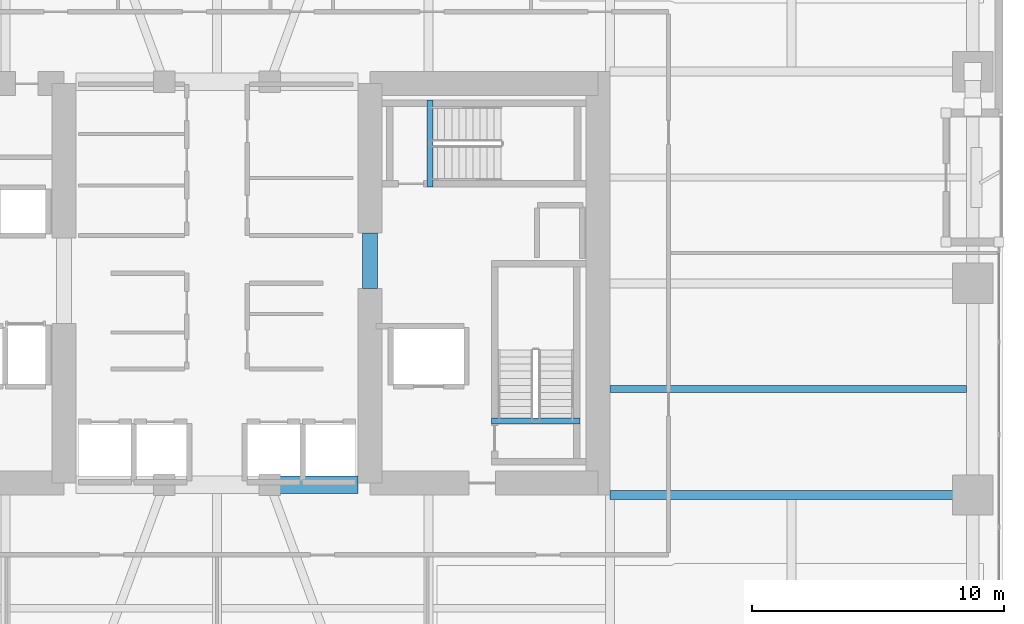
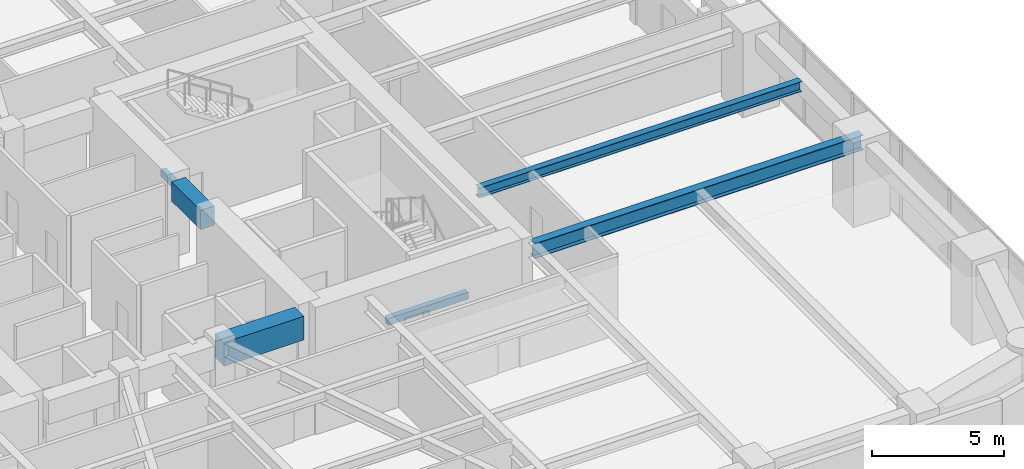
# One storey, part 7 of 28: 6 beams.
"""IFC4 building model written with IfcOpenShell, lengths in metres."""

import ifcopenshell
import ifcopenshell.guid

model = None  # the IFC model being written
_history = None  # IfcOwnerHistory: only IFC2X3 demands one
_inside = {}  # id of a spatial element -> (the spatial element, [elements in it])
_under = {}  # id of a project, library or spatial element -> (it, [spatial elements below it])
_declared = {}  # id of a project -> (the project, [libraries it declares])
_typed = {}  # id of a type object -> (the type object, [elements of that type])
_made_of = {}  # id of a material, layer set ... -> (it, [elements and type objects made of it])


def new_model(schema):
    """Start an empty IFC model of exactly this schema.

    Asked for "IFC4X3", IfcOpenShell would pick the latest addendum, in which some entities
    have other attributes; the version numbers below select the first issue.
    IFC2X3 requires an IfcOwnerHistory on every rooted entity: one is made here for all.
    """
    global model, _history
    if schema == "IFC4X3":
        model = ifcopenshell.file(schema_version=(4, 3, 0, 0))
    else:
        model = ifcopenshell.file(schema=schema)
    _inside.clear()
    _under.clear()
    _declared.clear()
    _typed.clear()
    _made_of.clear()
    _history = None
    if model.schema == "IFC2X3":
        org = make("IfcOrganization", Name="unknown")
        user = make(
            "IfcPersonAndOrganization",
            ThePerson=make("IfcPerson", FamilyName="unknown"),
            TheOrganization=org,
        )
        app = make(
            "IfcApplication",
            ApplicationDeveloper=org,
            Version="unknown",
            ApplicationFullName="unknown",
            ApplicationIdentifier="unknown",
        )
        _history = make(
            "IfcOwnerHistory",
            OwningUser=user,
            OwningApplication=app,
            ChangeAction="ADDED",
            CreationDate=0,
        )
    return model


def make(cls, **values):
    """One entity of the class cls with the attributes given. An attribute that is None is left unset."""
    return model.create_entity(
        cls, **{name: value for name, value in values.items() if value is not None}
    )


def rooted(cls, **values):
    """An entity with a GlobalId (a new one), such as an element, a storey or a relation."""
    return make(cls, GlobalId=ifcopenshell.guid.new(), OwnerHistory=_history, **values)


def si_unit(unit_type, name, prefix=None):
    """IfcSIUnit, for example si_unit("LENGTHUNIT", "METRE", prefix="MILLI")."""
    return make("IfcSIUnit", UnitType=unit_type, Prefix=prefix, Name=name)


def assignment(units):
    """IfcUnitAssignment: the units of a project."""
    return None if units is None else make("IfcUnitAssignment", Units=units)


def point(xyz):
    """IfcCartesianPoint."""
    return None if xyz is None else make("IfcCartesianPoint", Coordinates=xyz)


def direction(xyz):
    """IfcDirection."""
    return None if xyz is None else make("IfcDirection", DirectionRatios=xyz)


def frame(location, z_axis=None, x_axis=None):
    """IfcAxis2Placement3D, a coordinate frame: its origin and axes. An axis left out is left unset."""
    return make(
        "IfcAxis2Placement3D",
        Location=point(location),
        Axis=direction(z_axis),
        RefDirection=direction(x_axis),
    )


def frame_2d(location, x_axis=None):
    """IfcAxis2Placement2D, a coordinate frame in the plane: its origin and x axis."""
    return make(
        "IfcAxis2Placement2D", Location=point(location), RefDirection=direction(x_axis)
    )


def origin():
    """The frame at (0, 0, 0) with its axes left unset."""
    return frame((0.0, 0.0, 0.0))


def origin_2d():
    """The frame at (0, 0) in the plane with its x axis left unset."""
    return frame_2d((0.0, 0.0))


def place(relative_to, where):
    """IfcLocalPlacement: puts the frame where relative to a parent placement (None: the world)."""
    return make(
        "IfcLocalPlacement", PlacementRelTo=relative_to, RelativePlacement=where
    )


def context(
    kind, dimensions, precision=None, world=None, true_north=None, identifier=None
):
    """IfcGeometricRepresentationContext, for example the 3D "Model" context."""
    return make(
        "IfcGeometricRepresentationContext",
        ContextIdentifier=identifier,
        ContextType=kind,
        CoordinateSpaceDimension=dimensions,
        Precision=precision,
        WorldCoordinateSystem=world,
        TrueNorth=true_north,
    )


def subcontext(parent, identifier, kind, view, scale=None):
    """IfcGeometricRepresentationSubContext, for example "Body" below "Model"."""
    return make(
        "IfcGeometricRepresentationSubContext",
        ContextIdentifier=identifier,
        ContextType=kind,
        ParentContext=parent,
        TargetScale=scale,
        TargetView=view,
    )


def project(units=None, contexts=None):
    """IfcProject with its units and contexts."""
    return rooted(
        "IfcProject",
        Name="project",
        RepresentationContexts=contexts,
        UnitsInContext=assignment(units),
    )


def spatial(cls, under=None, at=None, **own):
    """A site, building, storey or space (cls), placed at a placement, below another one or the project."""
    s = rooted(cls, ObjectPlacement=at, **own)
    if under is not None:
        _under.setdefault(under.id(), (under, []))[1].append(s)
    return s


def profile(cls, at=None, kind="AREA", **sizes):
    """A parametric profile (cls). Its sizes go by their IFC names, for example OverallWidth=200.0."""
    return make(cls, ProfileType=kind, Position=at, **sizes)


def rectangle(**sizes):
    """IfcRectangleProfileDef."""
    return profile("IfcRectangleProfileDef", **sizes)


def i_section(**sizes):
    """IfcIShapeProfileDef."""
    return profile("IfcIShapeProfileDef", **sizes)


def extrude(swept, where, along, depth):
    """IfcExtrudedAreaSolid: the profile swept, set in the frame where, extruded along a direction by depth."""
    return make(
        "IfcExtrudedAreaSolid",
        SweptArea=swept,
        Position=where,
        ExtrudedDirection=direction(along),
        Depth=depth,
    )


def shape(context_of_items, identifier, shape_type, items):
    """IfcShapeRepresentation: the items that make up one representation, for example the "Body"."""
    return make(
        "IfcShapeRepresentation",
        ContextOfItems=context_of_items,
        RepresentationIdentifier=identifier,
        RepresentationType=shape_type,
        Items=items,
    )


def material(Name=None, Category=None):
    """IfcMaterial."""
    return make("IfcMaterial", Name=Name, Category=Category)


def material_profile(
    of_material, cross_section, Name=None, Category=None, Priority=None
):
    """IfcMaterialProfile: a cross section and its material."""
    return make(
        "IfcMaterialProfile",
        Name=Name,
        Material=of_material,
        Profile=cross_section,
        Priority=Priority,
        Category=Category,
    )


def profile_set(profiles, Name=None, composite=None):
    """IfcMaterialProfileSet."""
    return make(
        "IfcMaterialProfileSet",
        Name=Name,
        MaterialProfiles=profiles,
        CompositeProfile=composite,
    )


def made_of(thing, what):
    """Note that an element or type object is made of a material, layer set ...; save() writes the relation."""
    if what is not None:
        _made_of.setdefault(what.id(), (what, []))[1].append(thing)
    return thing


def type_object(cls, material=None, **own):
    """A type object (cls), such as IfcWallType, which elements share."""
    return made_of(rooted(cls, **own), material)


def element(
    cls,
    number,
    at=None,
    inside=None,
    cuts=None,
    type_object=None,
    material=None,
    context=None,
    identifier="Body",
    shape_type=None,
    held_by="IfcProductDefinitionShape",
    body=None,
    shapes=None,
    **own,
):
    """One element of the class cls, such as IfcWall. Its Tag is "e" and its number.

    at: its placement. inside: the storey or other place that contains it. cuts: it is an
    opening in that element (IfcRelVoidsElement). A single representation is given by context,
    identifier, shape_type and body (its items); several are given by shapes. held_by: the class
    of the entity that holds the representations. save() writes the other relations.
    """
    e = rooted(cls, Tag="e%d" % number, ObjectPlacement=at, **own)
    if body is not None:
        shapes = [shape(context, identifier, shape_type, body)]
    if shapes is not None:
        e.Representation = make(held_by, Representations=shapes)
    if inside is not None:
        _inside.setdefault(inside.id(), (inside, []))[1].append(e)
    if cuts is not None:
        rooted(
            "IfcRelVoidsElement", RelatingBuildingElement=cuts, RelatedOpeningElement=e
        )
    if type_object is not None:
        _typed.setdefault(type_object.id(), (type_object, []))[1].append(e)
    return made_of(e, material)


def aggregate(whole, parts):
    """IfcRelAggregates: a whole, such as a stair, and the parts it consists of."""
    return rooted("IfcRelAggregates", RelatingObject=whole, RelatedObjects=parts)


def save(model, path):
    """Write the relations noted so far, then the file.

    IfcRelAggregates (storeys below a building ...), IfcRelContainedInSpatialStructure (elements
    in a storey), IfcRelDefinesByType, IfcRelAssociatesMaterial and IfcRelDeclares: one each for
    every whole, place, type object, material and project.
    """
    for whole, parts in _under.values():
        aggregate(whole, parts)
    for where, things in _inside.values():
        rooted(
            "IfcRelContainedInSpatialStructure",
            RelatedElements=things,
            RelatingStructure=where,
        )
    for kind, things in _typed.values():
        rooted("IfcRelDefinesByType", RelatedObjects=things, RelatingType=kind)
    for what, things in _made_of.values():
        rooted("IfcRelAssociatesMaterial", RelatedObjects=things, RelatingMaterial=what)
    for by, libraries in _declared.values():
        rooted("IfcRelDeclares", RelatingContext=by, RelatedDefinitions=libraries)
    model.write(path)


model = new_model("IFC4")

# Units and contexts
model_context = context("Model", 3, precision=1e-05, world=origin(), true_north=direction((0.0, 1.0)))
body_context = subcontext(model_context, "Body", "Model", "MODEL_VIEW")
ifc_project = project(units=[si_unit("LENGTHUNIT", "METRE"), si_unit("AREAUNIT", "SQUARE_METRE"), si_unit("VOLUMEUNIT", "CUBIC_METRE"), si_unit("PLANEANGLEUNIT", "RADIAN"), si_unit("MASSUNIT", "GRAM", prefix="KILO")], contexts=[model_context])

# Site, building, storey
site_placement = place(None, origin())
site = spatial("IfcSite", under=ifc_project, at=site_placement, CompositionType="ELEMENT")
building_placement = place(site_placement, origin())
building = spatial("IfcBuilding", under=site, at=building_placement, Name="Kiyonajd Concourse Tower", CompositionType="ELEMENT")
storey_placement = place(building_placement, frame((0.0, 0.0, 33.300048828125)))
storey = spatial("IfcBuildingStorey", under=building, at=storey_placement, Name="L09", CompositionType="ELEMENT", Elevation=33.300048828125)

# Beams
ifc_material_1 = material(Name="Concrete C70/85", Category="concrete")
ifc_material_profile_1 = material_profile(ifc_material_1, rectangle(XDim=0.699951171875, YDim=1.10009765625, at=origin_2d()), Name="RCBM-700x1100")
ifc_profile_set_1 = profile_set([ifc_material_profile_1], Name="Concrete C70/85")
beam_type_1 = type_object("IfcBeamType", Name="BM-COUP-1100", PredefinedType="LINTEL", material=ifc_profile_set_1)
beam_1_placement = place(storey_placement, frame((50.10009765625, 28.0, 3.08984375), z_axis=(1.0, 0.0, 0.0), x_axis=(0.0, 1.0, 0.0)))
element("IfcBeam", 1, at=beam_1_placement, inside=storey, type_object=beam_type_1, Name="L09 Core Coupling Beam S3", PredefinedType="LINTEL", context=body_context, shape_type="SweptSolid", body=[
    extrude(rectangle(XDim=0.699951171875, YDim=1.10009765625, at=origin_2d()), origin(), (0.0, 0.0, 1.0), 3.5),
])
ifc_material_2 = material(Name="Concrete C60/75", Category="concrete")
ifc_material_profile_2 = material_profile(ifc_material_2, rectangle(XDim=0.60009765625, YDim=0.89990234375, at=origin_2d()), Name="RCBM-600x900")
ifc_profile_set_2 = profile_set([ifc_material_profile_2], Name="Concrete C60/75")
beam_type_2 = type_object("IfcBeamType", Name="BM-COUP-900", PredefinedType="LINTEL", material=ifc_profile_set_2)
beam_2_placement = place(storey_placement, frame((54.074951171875, 35.800048828125, 3.08984375), z_axis=(0.0, 1.0, 0.0), x_axis=(-1.0, 0.0, 0.0)))
element("IfcBeam", 2, at=beam_2_placement, inside=storey, type_object=beam_type_2, Name="L09 East Core Throat Coupling Lintel", PredefinedType="LINTEL", context=body_context, shape_type="SweptSolid", body=[
    extrude(rectangle(XDim=0.60009765625, YDim=0.89990234375, at=origin_2d()), origin(), (0.0, 0.0, 1.0), 2.199951171875),
])
ifc_material_3 = material(Name="Steel ASTM A992 Grade 50", Category="steel")
ifc_material_profile_3 = material_profile(ifc_material_3, i_section(OverallWidth=0.280029296875, OverallDepth=0.462890625, WebThickness=0.0107421875, FlangeThickness=0.017333984375, at=origin_2d()), Name="W460X113")
ifc_profile_set_3 = profile_set([ifc_material_profile_3], Name="Steel ASTM A992 Grade 50")
beam_type_3 = type_object("IfcBeamType", Name="BM-JST-460A", PredefinedType="JOIST", material=ifc_profile_set_3)
beam_3_placement = place(storey_placement, frame((63.60009765625, 31.800048828125, 3.408447265625), z_axis=(1.0, 0.0, 0.0), x_axis=(0.0, 1.0, 0.0)))
element("IfcBeam", 3, at=beam_3_placement, inside=storey, type_object=beam_type_3, Name="L09 East Secondary Floor Joist", PredefinedType="JOIST", context=body_context, shape_type="SweptSolid", body=[
    extrude(i_section(OverallWidth=0.280029296875, OverallDepth=0.462890625, WebThickness=0.0107421875, FlangeThickness=0.017333984375, at=origin_2d()), origin(), (0.0, 0.0, 1.0), 14.14990234375),
])
ifc_material_4 = material(Name="Concrete C50/60", Category="concrete")
ifc_material_profile_4 = material_profile(ifc_material_4, rectangle(XDim=0.239990234375, YDim=0.320068359375, at=origin_2d()), Name="RCBM-240x320")
ifc_profile_set_4 = profile_set([ifc_material_profile_4], Name="Concrete C50/60")
beam_type_4 = type_object("IfcBeamType", Name="BM-LNT-250", PredefinedType="LINTEL", material=ifc_profile_set_4)
beam_4_placement = place(storey_placement, frame((58.889892578125, 30.530029296875, -0.16015625), z_axis=(1.0, 0.0, 0.0), x_axis=(0.0, 1.0, 0.0)))
element("IfcBeam", 4, at=beam_4_placement, inside=storey, type_object=beam_type_4, Name="L09 Stair ST2 Threshold Support Beam", PredefinedType="LINTEL", context=body_context, shape_type="SweptSolid", body=[
    extrude(rectangle(XDim=0.239990234375, YDim=0.320068359375, at=origin_2d()), origin(), (0.0, 0.0, 1.0), 3.52001953125),
])
beam_5_placement = place(storey_placement, frame((56.4599609375, 39.820068359375, -0.16015625), z_axis=(0.0, 1.0, 0.0), x_axis=(-1.0, 0.0, 0.0)))
element("IfcBeam", 5, at=beam_5_placement, inside=storey, type_object=beam_type_4, Name="L09 Stair ST3 Threshold Support Beam", PredefinedType="LINTEL", context=body_context, shape_type="SweptSolid", body=[
    extrude(rectangle(XDim=0.239990234375, YDim=0.320068359375, at=origin_2d()), origin(), (0.0, 0.0, 1.0), 3.4599609375),
])
ifc_material_profile_5 = material_profile(ifc_material_3, i_section(OverallWidth=0.35498046875, OverallDepth=0.695068359375, WebThickness=0.015380859375, FlangeThickness=0.02490234375, at=origin_2d()), Name="W690X217")
ifc_profile_set_5 = profile_set([ifc_material_profile_5], Name="Steel ASTM A992 Grade 50")
beam_type_5 = type_object("IfcBeamType", Name="BM-TWR-690", PredefinedType="BEAM", material=ifc_profile_set_5)
beam_6_placement = place(storey_placement, frame((63.60009765625, 27.60009765625, 3.29248046875), z_axis=(1.0, 0.0, 0.0), x_axis=(0.0, 1.0, 0.0)))
element("IfcBeam", 6, at=beam_6_placement, inside=storey, type_object=beam_type_5, Name="L09 East Lease Girder", PredefinedType="BEAM", context=body_context, shape_type="SweptSolid", body=[
    extrude(i_section(OverallWidth=0.35498046875, OverallDepth=0.695068359375, WebThickness=0.015380859375, FlangeThickness=0.02490234375, at=origin_2d()), origin(), (0.0, 0.0, 1.0), 14.39990234375),
])

save(model, "model.ifc")
